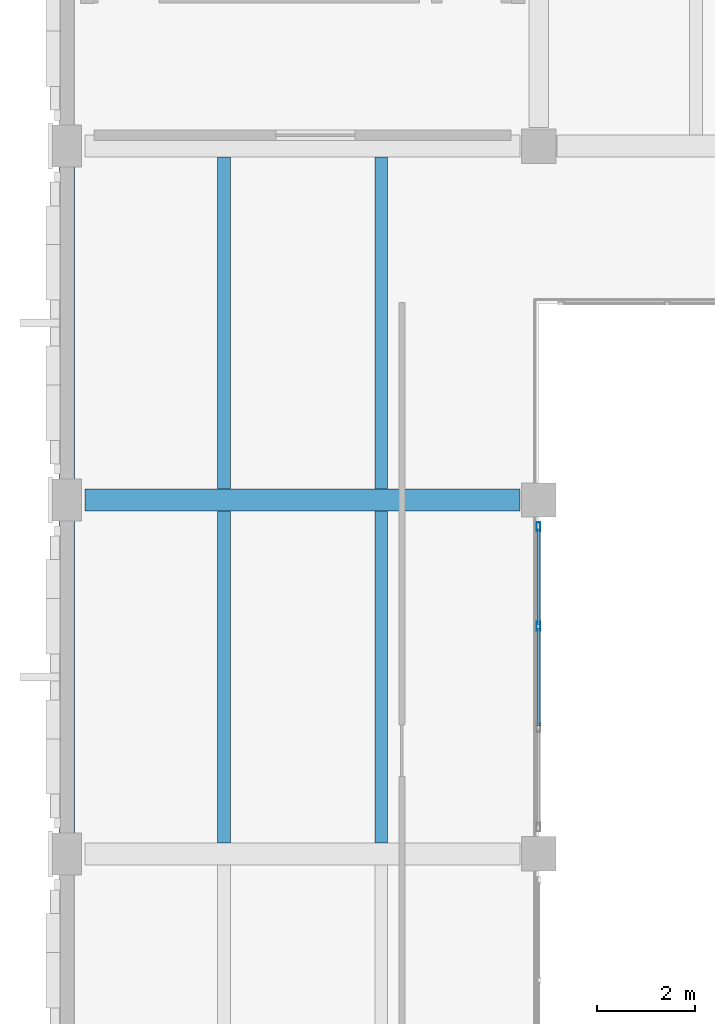
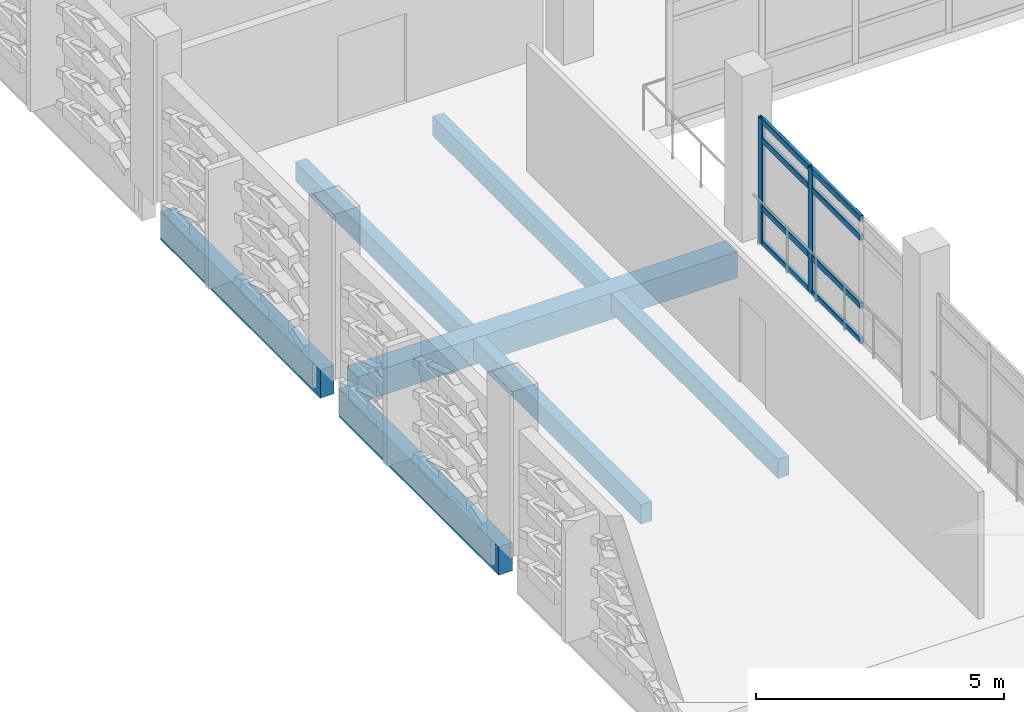
# One storey, part 43 of 134: 10 members, 7 beams, 1 element without a shape of its own.
"""IFC4 building model written with IfcOpenShell, lengths in metres."""

from ifc_helpers import new_model, si_unit, direction, frame, origin, origin_2d, place, context, subcontext, project, spatial, rectangle, hollow_rectangle, extrude, material, layer, layer_set, material_profile, profile_set, type_object, element, aggregate, save


model = new_model("IFC4")

# Units and contexts
model_context = context("Model", 3, precision=1e-05, world=origin(), true_north=direction((0.0, 1.0)))
body_context = subcontext(model_context, "Body", "Model", "MODEL_VIEW")
ifc_project = project(units=[si_unit("LENGTHUNIT", "METRE"), si_unit("AREAUNIT", "SQUARE_METRE"), si_unit("VOLUMEUNIT", "CUBIC_METRE"), si_unit("PLANEANGLEUNIT", "RADIAN"), si_unit("MASSUNIT", "GRAM", prefix="KILO")], contexts=[model_context])

# Site, building, storey
site_placement = place(None, origin())
site = spatial("IfcSite", under=ifc_project, at=site_placement, CompositionType="ELEMENT")
building_placement = place(site_placement, origin())
building = spatial("IfcBuilding", under=site, at=building_placement, Name="Asteropetra Specialist Clinic", CompositionType="ELEMENT")
storey_placement = place(building_placement, frame((0.0, 0.0, 8.5)))
storey = spatial("IfcBuildingStorey", under=building, at=storey_placement, Name="L02", CompositionType="ELEMENT", Elevation=8.5)

# Beam
ifc_material_1 = material(Name="Concrete C35/45", Category="concrete")
ifc_material_profile_1 = material_profile(ifc_material_1, rectangle(XDim=0.449951171875, YDim=0.64990234375, at=origin_2d()), Name="RCB 450x650")
ifc_profile_set_1 = profile_set([ifc_material_profile_1], Name="Concrete C35/45")
beam_type_1 = type_object("IfcBeamType", Name="BM-RC450x650", PredefinedType="BEAM", material=ifc_profile_set_1)
beam_placement = place(storey_placement, frame((0.375, 91.199951171875, -0.60498046875), z_axis=(1.0, 0.0, 0.0), x_axis=(0.0, 1.0, 0.0)))
element("IfcBeam", 1, at=beam_placement, inside=storey, type_object=beam_type_1, Name="Beam BBM06-1252", PredefinedType="BEAM", context=body_context, shape_type="SweptSolid", body=[
    extrude(rectangle(XDim=0.449951171875, YDim=0.64990234375, at=origin_2d()), origin(), (0.0, 0.0, 1.0), 8.85009765625),
])

# Curtain wall, members
ifc_material_2 = material(Name="Aluminium and low-E glass", Category="aluminium")
ifc_layer = layer(ifc_material_2, 0.14990234375)
ifc_layer_set = layer_set([ifc_layer], Name="Aluminium and low-E glass")
curtain_wall_type = type_object("IfcCurtainWallType", Name="CW-SYS-05", PredefinedType="USERDEFINED", material=ifc_layer_set)
curtain_wall_placement = place(storey_placement, origin())
curtain_wall = element("IfcCurtainWall", 2, at=curtain_wall_placement, inside=storey, type_object=curtain_wall_type, Name="Curtain Wall CW-039", ObjectType="UNITISED CURTAIN WALL", PredefinedType="USERDEFINED")
ifc_material_3 = material(Name="Aluminium 6063-T6", Category="aluminium")
ifc_material_profile_2 = material_profile(ifc_material_3, hollow_rectangle(XDim=0.074951171875, YDim=0.179931640625, WallThickness=0.00390625, InnerFilletRadius=0.00390625, OuterFilletRadius=0.008056640625, at=origin_2d()), Name="MUL 180x75x4.0")
ifc_profile_set_2 = profile_set([ifc_material_profile_2], Name="Aluminium 6063-T6")
member_type_1 = type_object("IfcMemberType", Name="CWM-180x75", PredefinedType="MULLION", material=ifc_profile_set_2)
member_1_placement = place(storey_placement, frame((9.60009765625, 90.652587890625, 0.0), z_axis=(0.0, 0.0, 1.0), x_axis=(1.0, 0.0, 0.0)))
member_1 = element("IfcMember", 3, at=member_1_placement, type_object=member_type_1, Name="CW-039 mullion 1", PredefinedType="MULLION", context=body_context, shape_type="SweptSolid", body=[
    extrude(hollow_rectangle(XDim=0.074951171875, YDim=0.179931640625, WallThickness=0.00390625, InnerFilletRadius=0.00390625, OuterFilletRadius=0.008056640625, at=origin_2d()), origin(), (0.0, 0.0, 1.0), 3.080078125),
])
member_2_placement = place(storey_placement, frame((9.60009765625, 88.6298828125, 0.0), z_axis=(0.0, 0.0, 1.0), x_axis=(1.0, 0.0, 0.0)))
member_2 = element("IfcMember", 4, at=member_2_placement, type_object=member_type_1, Name="CW-039 mullion 2", PredefinedType="MULLION", context=body_context, shape_type="SweptSolid", body=[
    extrude(hollow_rectangle(XDim=0.074951171875, YDim=0.179931640625, WallThickness=0.00390625, InnerFilletRadius=0.00390625, OuterFilletRadius=0.008056640625, at=origin_2d()), origin(), (0.0, 0.0, 1.0), 3.080078125),
])
ifc_material_4 = material(Name="Aluminium 6063-T6", Category="aluminium")
ifc_material_profile_3 = material_profile(ifc_material_4, hollow_rectangle(XDim=0.074951171875, YDim=0.14990234375, WallThickness=0.00390625, InnerFilletRadius=0.00390625, OuterFilletRadius=0.008056640625, at=origin_2d()), Name="TRN 150x75x4.0")
ifc_profile_set_3 = profile_set([ifc_material_profile_3], Name="Aluminium 6063-T6")
member_type_2 = type_object("IfcMemberType", Name="CWT-150x75", PredefinedType="USERDEFINED", material=ifc_profile_set_3)
member_3_placement = place(storey_placement, frame((9.60009765625, 90.614990234375, 0.03759765625), z_axis=(0.0, -1.0, 0.0), x_axis=(1.0, 0.0, 0.0)))
member_3 = element("IfcMember", 5, at=member_3_placement, type_object=member_type_2, Name="CW-039 transom 1.1", ObjectType="TRANSOM", PredefinedType="USERDEFINED", context=body_context, shape_type="SweptSolid", body=[
    extrude(hollow_rectangle(XDim=0.074951171875, YDim=0.14990234375, WallThickness=0.00390625, InnerFilletRadius=0.00390625, OuterFilletRadius=0.008056640625, at=origin_2d()), origin(), (0.0, 0.0, 1.0), 1.947509765625),
])
member_4_placement = place(storey_placement, frame((9.60009765625, 90.614990234375, 0.89990234375), z_axis=(0.0, -1.0, 0.0), x_axis=(1.0, 0.0, 0.0)))
member_4 = element("IfcMember", 6, at=member_4_placement, type_object=member_type_2, Name="CW-039 transom 1.2", ObjectType="TRANSOM", PredefinedType="USERDEFINED", context=body_context, shape_type="SweptSolid", body=[
    extrude(hollow_rectangle(XDim=0.074951171875, YDim=0.14990234375, WallThickness=0.00390625, InnerFilletRadius=0.00390625, OuterFilletRadius=0.008056640625, at=origin_2d()), origin(), (0.0, 0.0, 1.0), 1.947509765625),
])
member_5_placement = place(storey_placement, frame((9.60009765625, 90.614990234375, 2.580078125), z_axis=(0.0, -1.0, 0.0), x_axis=(1.0, 0.0, 0.0)))
member_5 = element("IfcMember", 7, at=member_5_placement, type_object=member_type_2, Name="CW-039 transom 1.3", ObjectType="TRANSOM", PredefinedType="USERDEFINED", context=body_context, shape_type="SweptSolid", body=[
    extrude(hollow_rectangle(XDim=0.074951171875, YDim=0.14990234375, WallThickness=0.00390625, InnerFilletRadius=0.00390625, OuterFilletRadius=0.008056640625, at=origin_2d()), origin(), (0.0, 0.0, 1.0), 1.947509765625),
])
member_6_placement = place(storey_placement, frame((9.60009765625, 90.614990234375, 3.04248046875), z_axis=(0.0, -1.0, 0.0), x_axis=(1.0, 0.0, 0.0)))
member_6 = element("IfcMember", 8, at=member_6_placement, type_object=member_type_2, Name="CW-039 transom 1.4", ObjectType="TRANSOM", PredefinedType="USERDEFINED", context=body_context, shape_type="SweptSolid", body=[
    extrude(hollow_rectangle(XDim=0.074951171875, YDim=0.14990234375, WallThickness=0.00390625, InnerFilletRadius=0.00390625, OuterFilletRadius=0.008056640625, at=origin_2d()), origin(), (0.0, 0.0, 1.0), 1.947509765625),
])
member_7_placement = place(storey_placement, frame((9.60009765625, 88.592529296875, 0.03759765625), z_axis=(0.0, -1.0, 0.0), x_axis=(1.0, 0.0, 0.0)))
member_7 = element("IfcMember", 9, at=member_7_placement, type_object=member_type_2, Name="CW-039 transom 2.1", ObjectType="TRANSOM", PredefinedType="USERDEFINED", context=body_context, shape_type="SweptSolid", body=[
    extrude(hollow_rectangle(XDim=0.074951171875, YDim=0.14990234375, WallThickness=0.00390625, InnerFilletRadius=0.00390625, OuterFilletRadius=0.008056640625, at=origin_2d()), origin(), (0.0, 0.0, 1.0), 1.985107421875),
])
member_8_placement = place(storey_placement, frame((9.60009765625, 88.592529296875, 0.89990234375), z_axis=(0.0, -1.0, 0.0), x_axis=(1.0, 0.0, 0.0)))
member_8 = element("IfcMember", 10, at=member_8_placement, type_object=member_type_2, Name="CW-039 transom 2.2", ObjectType="TRANSOM", PredefinedType="USERDEFINED", context=body_context, shape_type="SweptSolid", body=[
    extrude(hollow_rectangle(XDim=0.074951171875, YDim=0.14990234375, WallThickness=0.00390625, InnerFilletRadius=0.00390625, OuterFilletRadius=0.008056640625, at=origin_2d()), origin(), (0.0, 0.0, 1.0), 1.985107421875),
])
member_9_placement = place(storey_placement, frame((9.60009765625, 88.592529296875, 2.580078125), z_axis=(0.0, -1.0, 0.0), x_axis=(1.0, 0.0, 0.0)))
member_9 = element("IfcMember", 11, at=member_9_placement, type_object=member_type_2, Name="CW-039 transom 2.3", ObjectType="TRANSOM", PredefinedType="USERDEFINED", context=body_context, shape_type="SweptSolid", body=[
    extrude(hollow_rectangle(XDim=0.074951171875, YDim=0.14990234375, WallThickness=0.00390625, InnerFilletRadius=0.00390625, OuterFilletRadius=0.008056640625, at=origin_2d()), origin(), (0.0, 0.0, 1.0), 1.985107421875),
])
member_10_placement = place(storey_placement, frame((9.60009765625, 88.592529296875, 3.04248046875), z_axis=(0.0, -1.0, 0.0), x_axis=(1.0, 0.0, 0.0)))
member_10 = element("IfcMember", 12, at=member_10_placement, type_object=member_type_2, Name="CW-039 transom 2.4", ObjectType="TRANSOM", PredefinedType="USERDEFINED", context=body_context, shape_type="SweptSolid", body=[
    extrude(hollow_rectangle(XDim=0.074951171875, YDim=0.14990234375, WallThickness=0.00390625, InnerFilletRadius=0.00390625, OuterFilletRadius=0.008056640625, at=origin_2d()), origin(), (0.0, 0.0, 1.0), 1.985107421875),
])
aggregate(curtain_wall, [member_1, member_2, member_3, member_4, member_5, member_6, member_7, member_8, member_9, member_10])

# Beams
ifc_material_5 = material(Name="Concrete C35/45", Category="concrete")
ifc_material_profile_4 = material_profile(ifc_material_5, rectangle(XDim=0.260009765625, YDim=0.47998046875, at=origin_2d()), Name="RCJ 260x480")
ifc_profile_set_4 = profile_set([ifc_material_profile_4], Name="Concrete C35/45")
beam_type_2 = type_object("IfcBeamType", Name="JST-RC260x480", PredefinedType="JOIST", material=ifc_profile_set_4)
for number, where, z_axis, x_axis, name in (
    (13, (3.199951171875, 84.22509765625, -0.52001953125), (0.0, 1.0, 0.0), (-1.0, 0.0, 0.0), "Joist JJST02-1291"),
    (14, (6.39990234375, 84.22509765625, -0.52001953125), (0.0, 1.0, 0.0), (-1.0, 0.0, 0.0), "Joist JJST02-1292"),
    (15, (3.199951171875, 91.425048828125, -0.52001953125), (0.0, 1.0, 0.0), (-1.0, 0.0, 0.0), "Joist JJST02-1300"),
    (16, (6.39990234375, 91.425048828125, -0.52001953125), (0.0, 1.0, 0.0), (-1.0, 0.0, 0.0), "Joist JJST02-1301"),
):
    element("IfcBeam", number, at=place(storey_placement, frame(where, z_axis=z_axis, x_axis=x_axis)), inside=storey, type_object=beam_type_2, Name=name, PredefinedType="JOIST", context=body_context, shape_type="SweptSolid", body=[
        extrude(rectangle(XDim=0.260009765625, YDim=0.47998046875, at=origin_2d()), origin(), (0.0, 0.0, 1.0), 6.75),
    ])
ifc_material_6 = material(Name="Concrete C35/45", Category="concrete")
ifc_material_profile_5 = material_profile(ifc_material_6, rectangle(XDim=0.320068359375, YDim=0.699951171875, at=origin_2d()), Name="RCS 320x700")
ifc_profile_set_5 = profile_set([ifc_material_profile_5], Name="Concrete C35/45")
beam_type_3 = type_object("IfcBeamType", Name="SPN-RC320x700", PredefinedType="SPANDREL", material=ifc_profile_set_5)
for number, where, z_axis, x_axis, name in (
    (17, (0.0, 84.375, -0.6298828125), (0.0, 1.0, 0.0), (-1.0, 0.0, 0.0), "Beam BSPN02-1288"),
    (18, (0.0, 91.574951171875, -0.6298828125), (0.0, 1.0, 0.0), (-1.0, 0.0, 0.0), "Beam BSPN02-1297"),
):
    element("IfcBeam", number, at=place(storey_placement, frame(where, z_axis=z_axis, x_axis=x_axis)), inside=storey, type_object=beam_type_3, Name=name, PredefinedType="SPANDREL", context=body_context, shape_type="SweptSolid", body=[
        extrude(rectangle(XDim=0.320068359375, YDim=0.699951171875, at=origin_2d()), origin(), (0.0, 0.0, 1.0), 6.449951171875),
    ])

save(model, "model.ifc")
